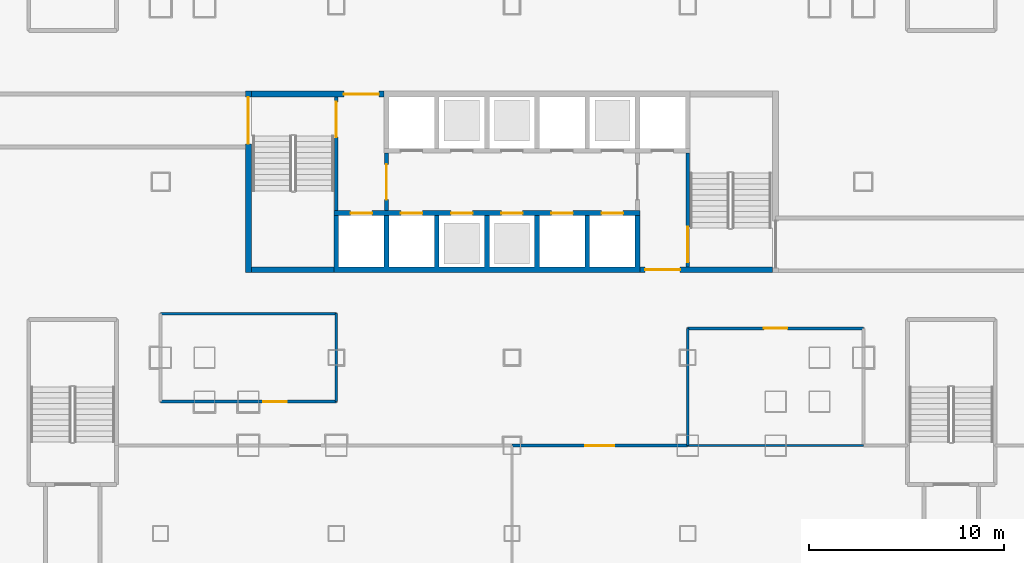
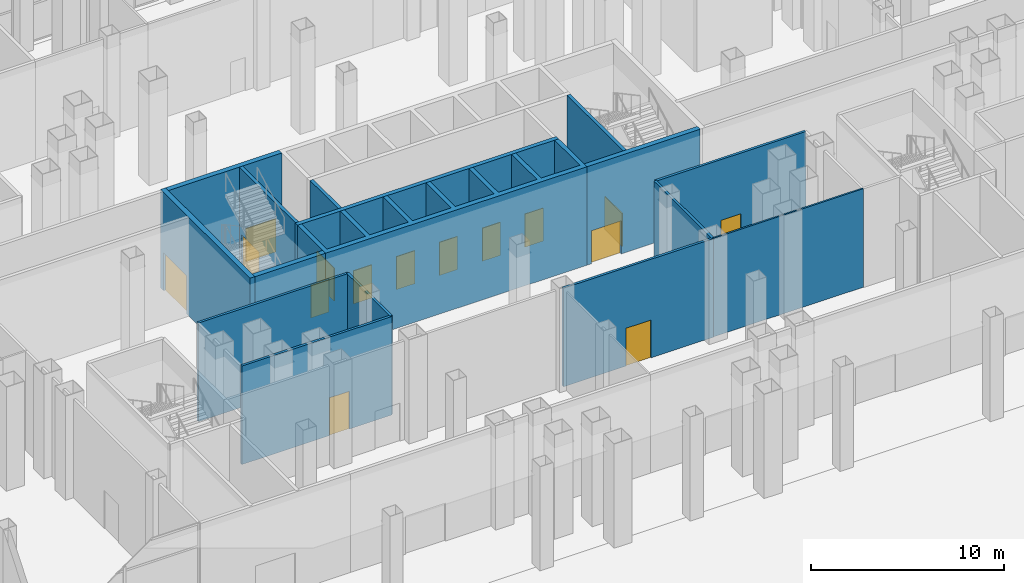
# One storey, part 14 of 38: 16 walls, 15 doors, 15 openings.
"""IFC4 building model written with IfcOpenShell, lengths in metres."""

from ifc_helpers import new_model, si_unit, direction, frame, frame_2d, origin, place, context, subcontext, project, spatial, polyline, rectangle, outline, extrude, material, layer, layer_set, type_object, element, fill, save


model = new_model("IFC4")

# Units and contexts
model_context = context("Model", 3, precision=1e-05, world=origin(), true_north=direction((0.0, 1.0)))
body_context = subcontext(model_context, "Body", "Model", "MODEL_VIEW")
ifc_project = project(units=[si_unit("LENGTHUNIT", "METRE"), si_unit("AREAUNIT", "SQUARE_METRE"), si_unit("VOLUMEUNIT", "CUBIC_METRE"), si_unit("PLANEANGLEUNIT", "RADIAN"), si_unit("MASSUNIT", "GRAM", prefix="KILO")], contexts=[model_context])

# Site, building, storey
site_placement = place(None, origin())
site = spatial("IfcSite", under=ifc_project, at=site_placement, CompositionType="ELEMENT")
building_placement = place(site_placement, origin())
building = spatial("IfcBuilding", under=site, at=building_placement, Name="Caravel Reach Hotel and Residences", CompositionType="ELEMENT")
storey_placement = place(building_placement, origin())
storey = spatial("IfcBuildingStorey", under=building, at=storey_placement, Name="L00", CompositionType="ELEMENT", Elevation=0.0)

# Wall
ifc_material_1 = material(Name="Concrete C60", Category="concrete")
ifc_layer_1 = layer(ifc_material_1, 0.300048828125)
ifc_layer_set_1 = layer_set([ifc_layer_1], Name="Core wall 300 mm EI 120")
wall_type_1 = type_object("IfcWallType", Name="Core wall 300 mm EI 120", PredefinedType="SHEAR", material=ifc_layer_set_1)
wall_1_placement = place(storey_placement, frame((18.14990234375, 22.5, 0.0), z_axis=(0.0, 0.0, 1.0), x_axis=(1.0, 0.0, 0.0)))
element("IfcWall", 1, at=wall_1_placement, inside=storey, type_object=wall_type_1, Name="L00 core wall S1", PredefinedType="SHEAR", context=body_context, shape_type="SweptSolid", body=[
    extrude(rectangle(XDim=4.22509765625, YDim=0.300048828125, at=frame_2d((2.112548828125, 0.0))), origin(), (0.0, 0.0, 1.0), 6.25),
])

# Wall, opening, door
wall_2_placement = place(storey_placement, frame((38.053466796875, 22.5, 0.0), z_axis=(0.0, 0.0, 1.0), x_axis=(1.0, 0.0, 0.0)))
wall_2 = element("IfcWall", 2, at=wall_2_placement, inside=storey, type_object=wall_type_1, Name="L00 core wall S2", PredefinedType="SHEAR", context=body_context, shape_type="SweptSolid", body=[
    extrude(rectangle(XDim=6.796630859375, YDim=0.300048828125, at=frame_2d((3.3984375, 0.0))), origin(), (0.0, 0.0, 1.0), 6.25),
])
opening_1_placement = place(wall_2_placement, frame((0.2607421875, 0.0, 0.0)))
opening_1 = element("IfcOpeningElement", 3, at=opening_1_placement, cuts=wall_2, Name="Opening D00-018", PredefinedType="OPENING", context=body_context, shape_type="SweptSolid", body=[
    extrude(rectangle(XDim=1.800048828125, YDim=2.10009765625, at=frame_2d((0.89990234375, 1.050048828125))), frame((0.0, 0.159912109375, 0.0), z_axis=(0.0, -1.0, 0.0), x_axis=(1.0, 0.0, 0.0)), (0.0, 0.0, 1.0), 0.320068359375),
])
ifc_material_2 = material(Name="Steel fire door leaf", Category="steel")
door_type_1 = type_object("IfcDoorType", Name="Fire lobby door pair 1800 x 2100 EI 90", OperationType="DOUBLE_DOOR_SINGLE_SWING", PredefinedType="DOOR", material=ifc_material_2)
door_1_placement = place(opening_1_placement, origin())
door_1 = element("IfcDoor", 4, at=door_1_placement, inside=storey, type_object=door_type_1, Name="lobby S door pair to corridor", OperationType="DOUBLE_DOOR_SINGLE_SWING", OverallHeight=2.10009765625, OverallWidth=1.800048828125, PredefinedType="DOOR", context=body_context, shape_type="SweptSolid", body=[
    extrude(rectangle(XDim=1.800048828125, YDim=2.10009765625, at=frame_2d((0.89990234375, 1.050048828125))), frame((0.0, 0.02490234375, 0.0), z_axis=(0.0, -1.0, 0.0), x_axis=(1.0, 0.0, 0.0)), (0.0, 0.0, 1.0), 0.050048828125),
])
fill(opening_1, door_1)

wall_3_placement = place(storey_placement, frame((18.14990234375, 31.5, 0.0), z_axis=(0.0, 0.0, 1.0), x_axis=(1.0, 0.0, 0.0)))
wall_3 = element("IfcWall", 5, at=wall_3_placement, inside=storey, type_object=wall_type_1, Name="L00 core wall N1", PredefinedType="SHEAR", context=body_context, shape_type="SweptSolid", body=[
    extrude(rectangle(XDim=6.796630859375, YDim=0.300048828125, at=frame_2d((3.3984375, 0.0))), origin(), (0.0, 0.0, 1.0), 6.25),
])
opening_2_placement = place(wall_3_placement, frame((4.735595703125, 0.0, 0.0)))
opening_2 = element("IfcOpeningElement", 6, at=opening_2_placement, cuts=wall_3, Name="Opening D00-017", PredefinedType="OPENING", context=body_context, shape_type="SweptSolid", body=[
    extrude(rectangle(XDim=1.800048828125, YDim=2.10009765625, at=frame_2d((0.89990234375, 1.050048828125))), frame((0.0, 0.159912109375, 0.0), z_axis=(0.0, -1.0, 0.0), x_axis=(1.0, 0.0, 0.0)), (0.0, 0.0, 1.0), 0.320068359375),
])
door_2_placement = place(opening_2_placement, origin())
door_2 = element("IfcDoor", 7, at=door_2_placement, inside=storey, type_object=door_type_1, Name="lobby N door pair to corridor", OperationType="DOUBLE_DOOR_SINGLE_SWING", OverallHeight=2.10009765625, OverallWidth=1.800048828125, PredefinedType="DOOR", context=body_context, shape_type="SweptSolid", body=[
    extrude(rectangle(XDim=1.800048828125, YDim=2.10009765625, at=frame_2d((0.89990234375, 1.050048828125))), frame((0.0, 0.02490234375, 0.0), z_axis=(0.0, -1.0, 0.0), x_axis=(1.0, 0.0, 0.0)), (0.0, 0.0, 1.0), 0.050048828125),
])
fill(opening_2, door_2)

wall_4_placement = place(storey_placement, frame((18.0, 22.35009765625, 0.0), z_axis=(0.0, 0.0, 1.0), x_axis=(0.0, 1.0, 0.0)))
wall_4 = element("IfcWall", 8, at=wall_4_placement, inside=storey, type_object=wall_type_1, Name="L00 core wall W", PredefinedType="SHEAR", context=body_context, shape_type="SweptSolid", body=[
    extrude(rectangle(XDim=9.2998046875, YDim=0.300048828125, at=frame_2d((4.64990234375, 0.0))), origin(), (0.0, 0.0, 1.0), 6.25),
])
opening_3_placement = place(wall_4_placement, frame((6.60009765625, 0.0, 0.0)))
opening_3 = element("IfcOpeningElement", 9, at=opening_3_placement, cuts=wall_4, Name="Opening D00-019", PredefinedType="OPENING", context=body_context, shape_type="SweptSolid", body=[
    extrude(rectangle(XDim=2.39990234375, YDim=2.39990234375, at=frame_2d((1.199951171875, 1.199951171875))), frame((0.0, 0.159912109375, 0.0), z_axis=(0.0, -1.0, 0.0), x_axis=(1.0, 0.0, 0.0)), (0.0, 0.0, 1.0), 0.320068359375),
])
ifc_material_3 = material(Name="Steel fire door leaf", Category="steel")
door_type_2 = type_object("IfcDoorType", Name="Exit door pair 2400 x 2400 EI 90", OperationType="DOUBLE_DOOR_SINGLE_SWING", PredefinedType="DOOR", material=ifc_material_3)
door_3_placement = place(opening_3_placement, origin())
door_3 = element("IfcDoor", 10, at=door_3_placement, inside=storey, type_object=door_type_2, Name="stair exit door W", OperationType="DOUBLE_DOOR_SINGLE_SWING", OverallHeight=2.39990234375, OverallWidth=2.39990234375, PredefinedType="DOOR", context=body_context, shape_type="SweptSolid", body=[
    extrude(rectangle(XDim=2.39990234375, YDim=2.39990234375, at=frame_2d((1.199951171875, 1.199951171875))), frame((0.0, 0.02490234375, 0.0), z_axis=(0.0, -1.0, 0.0), x_axis=(1.0, 0.0, 0.0)), (0.0, 0.0, 1.0), 0.050048828125),
])
fill(opening_3, door_3)

ifc_material_4 = material(Name="Gypsum board on steel stud, fire-rated", Category="steel")
ifc_layer_2 = layer(ifc_material_4, 0.14990234375)
ifc_layer_set_2 = layer_set([ifc_layer_2], Name="Corridor wall 150 mm EI 60")
wall_type_2 = type_object("IfcWallType", Name="Corridor wall 150 mm EI 60", PredefinedType="PARTITIONING", material=ifc_layer_set_2)
wall_5_placement = place(storey_placement, frame((31.5, 13.5, 0.0), z_axis=(0.0, 0.0, 1.0), x_axis=(1.0, 0.0, 0.0)))
wall_5 = element("IfcWall", 11, at=wall_5_placement, inside=storey, type_object=wall_type_2, Name="L00 wall w002", PredefinedType="PARTITIONING", context=body_context, shape_type="SweptSolid", body=[
    extrude(rectangle(XDim=9.0, YDim=0.14990234375, at=frame_2d((4.5, 0.0))), origin(), (0.0, 0.0, 1.0), 6.25),
])
opening_4_placement = place(wall_5_placement, frame((3.75, 0.0, 0.0)))
opening_4 = element("IfcOpeningElement", 12, at=opening_4_placement, cuts=wall_5, Name="Opening D00-038", PredefinedType="OPENING", context=body_context, shape_type="SweptSolid", body=[
    extrude(rectangle(XDim=1.5, YDim=2.39990234375, at=frame_2d((0.75, 1.199951171875))), frame((0.0, 0.0849609375, 0.0), z_axis=(0.0, -1.0, 0.0), x_axis=(1.0, 0.0, 0.0)), (0.0, 0.0, 1.0), 0.169921875),
])
ifc_material_5 = material(Name="Timber and steel door leaf", Category="steel")
door_type_3 = type_object("IfcDoorType", Name="Shopfront door 1500 x 2400", OperationType="DOUBLE_DOOR_SINGLE_SWING", PredefinedType="DOOR", material=ifc_material_5)
door_4_placement = place(opening_4_placement, origin())
door_4 = element("IfcDoor", 13, at=door_4_placement, inside=storey, type_object=door_type_3, Name="door D00-038", OperationType="DOUBLE_DOOR_SINGLE_SWING", OverallHeight=2.39990234375, OverallWidth=1.5, PredefinedType="DOOR", context=body_context, shape_type="SweptSolid", body=[
    extrude(rectangle(XDim=1.5, YDim=2.39990234375, at=frame_2d((0.75, 1.199951171875))), frame((0.0, 0.02490234375, 0.0), z_axis=(0.0, -1.0, 0.0), x_axis=(1.0, 0.0, 0.0)), (0.0, 0.0, 1.0), 0.050048828125),
])
fill(opening_4, door_4)

wall_6_placement = place(storey_placement, frame((13.5, 15.75, 0.0), z_axis=(0.0, 0.0, 1.0), x_axis=(1.0, 0.0, 0.0)))
wall_6 = element("IfcWall", 14, at=wall_6_placement, inside=storey, type_object=wall_type_2, Name="L00 wall w005", PredefinedType="PARTITIONING", context=body_context, shape_type="SweptSolid", body=[
    extrude(rectangle(XDim=9.0, YDim=0.14990234375, at=frame_2d((4.5, 0.0))), origin(), (0.0, 0.0, 1.0), 6.25),
])
opening_5_placement = place(wall_6_placement, frame((5.25, 0.0, 0.0)))
opening_5 = element("IfcOpeningElement", 15, at=opening_5_placement, cuts=wall_6, Name="Opening D00-046", PredefinedType="OPENING", context=body_context, shape_type="SweptSolid", body=[
    extrude(rectangle(XDim=1.199951171875, YDim=2.39990234375, at=frame_2d((0.60009765625, 1.199951171875))), frame((0.0, 0.0849609375, 0.0), z_axis=(0.0, -1.0, 0.0), x_axis=(1.0, 0.0, 0.0)), (0.0, 0.0, 1.0), 0.169921875),
])
ifc_material_6 = material(Name="Timber and steel door leaf", Category="steel")
door_type_4 = type_object("IfcDoorType", Name="Glazed door 1200 x 2400", OperationType="SINGLE_SWING_LEFT", PredefinedType="DOOR", material=ifc_material_6)
door_5_placement = place(opening_5_placement, origin())
door_5 = element("IfcDoor", 16, at=door_5_placement, inside=storey, type_object=door_type_4, Name="door D00-046", OperationType="SINGLE_SWING_RIGHT", OverallHeight=2.39990234375, OverallWidth=1.199951171875, PredefinedType="DOOR", context=body_context, shape_type="SweptSolid", body=[
    extrude(rectangle(XDim=1.199951171875, YDim=2.39990234375, at=frame_2d((0.60009765625, 1.199951171875))), frame((0.0, 0.02490234375, 0.0), z_axis=(0.0, -1.0, 0.0), x_axis=(1.0, 0.0, 0.0)), (0.0, 0.0, 1.0), 0.050048828125),
])
fill(opening_5, door_5)

wall_7_placement = place(storey_placement, frame((40.5, 19.5, 0.0), z_axis=(0.0, 0.0, 1.0), x_axis=(1.0, 0.0, 0.0)))
wall_7 = element("IfcWall", 17, at=wall_7_placement, inside=storey, type_object=wall_type_2, Name="L00 wall w006", PredefinedType="PARTITIONING", context=body_context, shape_type="SweptSolid", body=[
    extrude(rectangle(XDim=9.0, YDim=0.14990234375, at=frame_2d((4.5, 0.0))), origin(), (0.0, 0.0, 1.0), 6.25),
])
opening_6_placement = place(wall_7_placement, frame((3.89990234375, 0.0, 0.0)))
opening_6 = element("IfcOpeningElement", 18, at=opening_6_placement, cuts=wall_7, Name="Opening D00-047", PredefinedType="OPENING", context=body_context, shape_type="SweptSolid", body=[
    extrude(rectangle(XDim=1.199951171875, YDim=2.39990234375, at=frame_2d((0.60009765625, 1.199951171875))), frame((0.0, 0.0849609375, 0.0), z_axis=(0.0, -1.0, 0.0), x_axis=(1.0, 0.0, 0.0)), (0.0, 0.0, 1.0), 0.169921875),
])
door_6_placement = place(opening_6_placement, origin())
door_6 = element("IfcDoor", 19, at=door_6_placement, inside=storey, type_object=door_type_4, Name="door D00-047", OperationType="SINGLE_SWING_LEFT", OverallHeight=2.39990234375, OverallWidth=1.199951171875, PredefinedType="DOOR", context=body_context, shape_type="SweptSolid", body=[
    extrude(rectangle(XDim=1.199951171875, YDim=2.39990234375, at=frame_2d((0.60009765625, 1.199951171875))), frame((0.0, 0.02490234375, 0.0), z_axis=(0.0, -1.0, 0.0), x_axis=(1.0, 0.0, 0.0)), (0.0, 0.0, 1.0), 0.050048828125),
])
fill(opening_6, door_6)

# Walls
wall_8_placement = place(storey_placement, frame((13.5, 20.25, 0.0), z_axis=(0.0, 0.0, 1.0), x_axis=(1.0, 0.0, 0.0)))
element("IfcWall", 20, at=wall_8_placement, inside=storey, type_object=wall_type_2, Name="L00 wall w007", PredefinedType="PARTITIONING", context=body_context, shape_type="SweptSolid", body=[
    extrude(rectangle(XDim=9.0, YDim=0.14990234375, at=frame_2d((4.5, 0.0))), origin(), (0.0, 0.0, 1.0), 6.25),
])
wall_9_placement = place(storey_placement, frame((22.5, 15.75, 0.0), z_axis=(0.0, 0.0, 1.0), x_axis=(0.0, 1.0, 0.0)))
element("IfcWall", 21, at=wall_9_placement, inside=storey, type_object=wall_type_2, Name="L00 wall w019", PredefinedType="PARTITIONING", context=body_context, shape_type="SweptSolid", body=[
    extrude(rectangle(XDim=4.5, YDim=0.14990234375, at=frame_2d((2.25, 0.0))), origin(), (0.0, 0.0, 1.0), 6.25),
])
wall_10_placement = place(storey_placement, frame((40.5, 13.5, 0.0), z_axis=(0.0, 0.0, 1.0), x_axis=(0.0, 1.0, 0.0)))
element("IfcWall", 22, at=wall_10_placement, inside=storey, type_object=wall_type_2, Name="L00 wall w025", PredefinedType="PARTITIONING", context=body_context, shape_type="SweptSolid", body=[
    extrude(rectangle(XDim=6.0, YDim=0.14990234375, at=frame_2d((3.0, 0.0))), origin(), (0.0, 0.0, 1.0), 6.25),
])

# Wall, opening, door
ifc_material_7 = material(Name="Autoclaved aerated block wall")
ifc_layer_3 = layer(ifc_material_7, 0.199951171875)
ifc_layer_set_3 = layer_set([ifc_layer_3], Name="Fire lobby wall 200 mm EI 120")
wall_type_3 = type_object("IfcWallType", Name="Fire lobby wall 200 mm EI 120", PredefinedType="PARTITIONING", material=ifc_layer_set_3)
wall_11_placement = place(storey_placement, frame((25.071533203125, 25.52490234375, 0.0), z_axis=(0.0, 0.0, 1.0), x_axis=(0.0, 1.0, 0.0)))
wall_11 = element("IfcWall", 23, at=wall_11_placement, inside=storey, type_object=wall_type_3, Name="L00 lobby W wall", PredefinedType="PARTITIONING", context=body_context, shape_type="SweptSolid", body=[
    extrude(rectangle(XDim=2.9501953125, YDim=0.199951171875, at=frame_2d((1.47509765625, 0.0))), origin(), (0.0, 0.0, 1.0), 6.25),
])
opening_7_placement = place(wall_11_placement, frame((0.574951171875, 0.0, 0.0)))
opening_7 = element("IfcOpeningElement", 24, at=opening_7_placement, cuts=wall_11, Name="Opening D00-015", PredefinedType="OPENING", context=body_context, shape_type="SweptSolid", body=[
    extrude(rectangle(XDim=1.800048828125, YDim=2.10009765625, at=frame_2d((0.89990234375, 1.050048828125))), frame((0.0, 0.10986328125, 0.0), z_axis=(0.0, -1.0, 0.0), x_axis=(1.0, 0.0, 0.0)), (0.0, 0.0, 1.0), 0.219970703125),
])
door_7_placement = place(opening_7_placement, origin())
door_7 = element("IfcDoor", 25, at=door_7_placement, inside=storey, type_object=door_type_1, Name="lobby W door pair", OperationType="DOUBLE_DOOR_SINGLE_SWING", OverallHeight=2.10009765625, OverallWidth=1.800048828125, PredefinedType="DOOR", context=body_context, shape_type="SweptSolid", body=[
    extrude(rectangle(XDim=1.800048828125, YDim=2.10009765625, at=frame_2d((0.89990234375, 1.050048828125))), frame((0.0, 0.02490234375, 0.0), z_axis=(0.0, -1.0, 0.0), x_axis=(1.0, 0.0, 0.0)), (0.0, 0.0, 1.0), 0.050048828125),
])
fill(opening_7, door_7)

# Walls
ifc_material_8 = material(Name="Gypsum board on steel stud", Category="steel")
ifc_layer_4 = layer(ifc_material_8, 0.10009765625)
ifc_layer_set_4 = layer_set([ifc_layer_4], Name="Partition 100 mm")
wall_type_4 = type_object("IfcWallType", Name="Partition 100 mm", PredefinedType="PARTITIONING", material=ifc_layer_set_4)
wall_12_placement = place(storey_placement, frame((40.5, 13.5, 0.0), z_axis=(0.0, 0.0, 1.0), x_axis=(1.0, 0.0, 0.0)))
element("IfcWall", 26, at=wall_12_placement, inside=storey, type_object=wall_type_4, Name="L00 wall w032", PredefinedType="PARTITIONING", context=body_context, shape_type="SweptSolid", body=[
    extrude(rectangle(XDim=9.0, YDim=0.10009765625, at=frame_2d((4.5, 0.0))), origin(), (0.0, 0.0, 1.0), 6.25),
])
ifc_material_9 = material(Name="Concrete C60", Category="concrete")
ifc_layer_5 = layer(ifc_material_9, 0.25)
ifc_layer_set_5 = layer_set([ifc_layer_5], Name="Shaft wall 250 mm EI 120")
wall_type_5 = type_object("IfcWallType", Name="Shaft wall 250 mm EI 120", PredefinedType="SHEAR", material=ifc_layer_set_5)
wall_13_placement = place(storey_placement, origin())
element("IfcWall", 27, at=wall_13_placement, inside=storey, type_object=wall_type_5, Name="L00 lift shaft wall S1", PredefinedType="SHEAR", context=body_context, shape_type="SweptSolid", body=[
    extrude(outline(polyline([(22.375, 22.35009765625), (38.053466796875, 22.35009765625), (38.053466796875, 25.27490234375), (37.803466796875, 25.27490234375), (37.803466796875, 22.64990234375), (35.482177734375, 22.64990234375), (35.482177734375, 25.27490234375), (35.232177734375, 25.27490234375), (35.232177734375, 22.64990234375), (32.91064453125, 22.64990234375), (32.91064453125, 25.27490234375), (32.66064453125, 25.27490234375), (32.66064453125, 22.64990234375), (30.33935546875, 22.64990234375), (30.33935546875, 25.27490234375), (30.08935546875, 25.27490234375), (30.08935546875, 22.64990234375), (27.767822265625, 22.64990234375), (27.767822265625, 25.27490234375), (27.517822265625, 25.27490234375), (27.517822265625, 22.64990234375), (25.196533203125, 22.64990234375), (25.196533203125, 25.27490234375), (24.946533203125, 25.27490234375), (24.946533203125, 22.64990234375), (22.625, 22.64990234375), (22.625, 25.27490234375), (22.375, 25.27490234375), (22.375, 22.35009765625)])), origin(), (0.0, 0.0, 1.0), 6.25),
])

# Wall, openings, doors
wall_14_placement = place(storey_placement, frame((22.375, 25.39990234375, 0.0), z_axis=(0.0, 0.0, 1.0), x_axis=(1.0, 0.0, 0.0)))
wall_14 = element("IfcWall", 28, at=wall_14_placement, inside=storey, type_object=wall_type_5, Name="L00 lobby wall S1", PredefinedType="SHEAR", context=body_context, shape_type="SweptSolid", body=[
    extrude(rectangle(XDim=15.678466796875, YDim=0.25, at=frame_2d((7.83935546875, 0.0))), origin(), (0.0, 0.0, 1.0), 6.25),
])
opening_8_placement = place(wall_14_placement, frame((3.43212890625, 0.0, 0.0)))
opening_8 = element("IfcOpeningElement", 29, at=opening_8_placement, cuts=wall_14, Name="Opening D00-001", PredefinedType="OPENING", context=body_context, shape_type="SweptSolid", body=[
    extrude(rectangle(XDim=1.10009765625, YDim=2.10009765625, at=frame_2d((0.550048828125, 1.050048828125))), frame((0.0, 0.135009765625, 0.0), z_axis=(0.0, -1.0, 0.0), x_axis=(1.0, 0.0, 0.0)), (0.0, 0.0, 1.0), 0.27001953125),
])
opening_9_placement = place(wall_14_placement, frame((11.146484375, 0.0, 0.0)))
opening_9 = element("IfcOpeningElement", 30, at=opening_9_placement, cuts=wall_14, Name="Opening D00-002", PredefinedType="OPENING", context=body_context, shape_type="SweptSolid", body=[
    extrude(rectangle(XDim=1.10009765625, YDim=2.10009765625, at=frame_2d((0.550048828125, 1.050048828125))), frame((0.0, 0.135009765625, 0.0), z_axis=(0.0, -1.0, 0.0), x_axis=(1.0, 0.0, 0.0)), (0.0, 0.0, 1.0), 0.27001953125),
])
opening_10_placement = place(wall_14_placement, frame((13.718017578125, 0.0, 0.0)))
opening_10 = element("IfcOpeningElement", 31, at=opening_10_placement, cuts=wall_14, Name="Opening D00-003", PredefinedType="OPENING", context=body_context, shape_type="SweptSolid", body=[
    extrude(rectangle(XDim=1.10009765625, YDim=2.10009765625, at=frame_2d((0.550048828125, 1.050048828125))), frame((0.0, 0.135009765625, 0.0), z_axis=(0.0, -1.0, 0.0), x_axis=(1.0, 0.0, 0.0)), (0.0, 0.0, 1.0), 0.27001953125),
])
opening_11_placement = place(wall_14_placement, frame((8.574951171875, 0.0, 0.0)))
opening_11 = element("IfcOpeningElement", 32, at=opening_11_placement, cuts=wall_14, Name="Opening D00-006", PredefinedType="OPENING", context=body_context, shape_type="SweptSolid", body=[
    extrude(rectangle(XDim=1.10009765625, YDim=2.10009765625, at=frame_2d((0.550048828125, 1.050048828125))), frame((0.0, 0.135009765625, 0.0), z_axis=(0.0, -1.0, 0.0), x_axis=(1.0, 0.0, 0.0)), (0.0, 0.0, 1.0), 0.27001953125),
])
opening_12_placement = place(wall_14_placement, frame((6.003662109375, 0.0, 0.0)))
opening_12 = element("IfcOpeningElement", 33, at=opening_12_placement, cuts=wall_14, Name="Opening D00-009", PredefinedType="OPENING", context=body_context, shape_type="SweptSolid", body=[
    extrude(rectangle(XDim=1.10009765625, YDim=2.10009765625, at=frame_2d((0.550048828125, 1.050048828125))), frame((0.0, 0.135009765625, 0.0), z_axis=(0.0, -1.0, 0.0), x_axis=(1.0, 0.0, 0.0)), (0.0, 0.0, 1.0), 0.27001953125),
])
opening_13_placement = place(wall_14_placement, frame((0.860595703125, 0.0, 0.0)))
opening_13 = element("IfcOpeningElement", 34, at=opening_13_placement, cuts=wall_14, Name="Opening D00-011", PredefinedType="OPENING", context=body_context, shape_type="SweptSolid", body=[
    extrude(rectangle(XDim=1.10009765625, YDim=2.10009765625, at=frame_2d((0.550048828125, 1.050048828125))), frame((0.0, 0.135009765625, 0.0), z_axis=(0.0, -1.0, 0.0), x_axis=(1.0, 0.0, 0.0)), (0.0, 0.0, 1.0), 0.27001953125),
])
ifc_material_10 = material(Name="Stainless steel landing door", Category="steel")
door_type_5 = type_object("IfcDoorType", Name="Landing door LD 1100 x 2100 sliding", OperationType="DOUBLE_DOOR_SLIDING", PredefinedType="DOOR", material=ifc_material_10)
door_8_placement = place(opening_8_placement, origin())
door_8 = element("IfcDoor", 35, at=door_8_placement, inside=storey, type_object=door_type_5, Name="LP1 landing door", OperationType="DOUBLE_DOOR_SLIDING", OverallHeight=2.10009765625, OverallWidth=1.10009765625, PredefinedType="DOOR", context=body_context, shape_type="SweptSolid", body=[
    extrude(rectangle(XDim=1.10009765625, YDim=2.10009765625, at=frame_2d((0.550048828125, 1.050048828125))), frame((0.0, 0.02490234375, 0.0), z_axis=(0.0, -1.0, 0.0), x_axis=(1.0, 0.0, 0.0)), (0.0, 0.0, 1.0), 0.050048828125),
])
fill(opening_8, door_8)
door_9_placement = place(opening_9_placement, origin())
door_9 = element("IfcDoor", 36, at=door_9_placement, inside=storey, type_object=door_type_5, Name="LP2 landing door", OperationType="DOUBLE_DOOR_SLIDING", OverallHeight=2.10009765625, OverallWidth=1.10009765625, PredefinedType="DOOR", context=body_context, shape_type="SweptSolid", body=[
    extrude(rectangle(XDim=1.10009765625, YDim=2.10009765625, at=frame_2d((0.550048828125, 1.050048828125))), frame((0.0, 0.02490234375, 0.0), z_axis=(0.0, -1.0, 0.0), x_axis=(1.0, 0.0, 0.0)), (0.0, 0.0, 1.0), 0.050048828125),
])
fill(opening_9, door_9)
door_10_placement = place(opening_10_placement, origin())
door_10 = element("IfcDoor", 37, at=door_10_placement, inside=storey, type_object=door_type_5, Name="LP3 landing door", OperationType="DOUBLE_DOOR_SLIDING", OverallHeight=2.10009765625, OverallWidth=1.10009765625, PredefinedType="DOOR", context=body_context, shape_type="SweptSolid", body=[
    extrude(rectangle(XDim=1.10009765625, YDim=2.10009765625, at=frame_2d((0.550048828125, 1.050048828125))), frame((0.0, 0.02490234375, 0.0), z_axis=(0.0, -1.0, 0.0), x_axis=(1.0, 0.0, 0.0)), (0.0, 0.0, 1.0), 0.050048828125),
])
fill(opening_10, door_10)
door_11_placement = place(opening_11_placement, origin())
door_11 = element("IfcDoor", 38, at=door_11_placement, inside=storey, type_object=door_type_5, Name="MP1 landing door", OperationType="DOUBLE_DOOR_SLIDING", OverallHeight=2.10009765625, OverallWidth=1.10009765625, PredefinedType="DOOR", context=body_context, shape_type="SweptSolid", body=[
    extrude(rectangle(XDim=1.10009765625, YDim=2.10009765625, at=frame_2d((0.550048828125, 1.050048828125))), frame((0.0, 0.02490234375, 0.0), z_axis=(0.0, -1.0, 0.0), x_axis=(1.0, 0.0, 0.0)), (0.0, 0.0, 1.0), 0.050048828125),
])
fill(opening_11, door_11)
door_12_placement = place(opening_12_placement, origin())
door_12 = element("IfcDoor", 39, at=door_12_placement, inside=storey, type_object=door_type_5, Name="HP1 landing door", OperationType="DOUBLE_DOOR_SLIDING", OverallHeight=2.10009765625, OverallWidth=1.10009765625, PredefinedType="DOOR", context=body_context, shape_type="SweptSolid", body=[
    extrude(rectangle(XDim=1.10009765625, YDim=2.10009765625, at=frame_2d((0.550048828125, 1.050048828125))), frame((0.0, 0.02490234375, 0.0), z_axis=(0.0, -1.0, 0.0), x_axis=(1.0, 0.0, 0.0)), (0.0, 0.0, 1.0), 0.050048828125),
])
fill(opening_12, door_12)
door_13_placement = place(opening_13_placement, origin())
door_13 = element("IfcDoor", 40, at=door_13_placement, inside=storey, type_object=door_type_5, Name="FL1 landing door", OperationType="DOUBLE_DOOR_SLIDING", OverallHeight=2.10009765625, OverallWidth=1.10009765625, PredefinedType="DOOR", context=body_context, shape_type="SweptSolid", body=[
    extrude(rectangle(XDim=1.10009765625, YDim=2.10009765625, at=frame_2d((0.550048828125, 1.050048828125))), frame((0.0, 0.02490234375, 0.0), z_axis=(0.0, -1.0, 0.0), x_axis=(1.0, 0.0, 0.0)), (0.0, 0.0, 1.0), 0.050048828125),
])
fill(opening_13, door_13)

# Wall, opening, door
ifc_material_11 = material(Name="Concrete C60", Category="concrete")
ifc_layer_6 = layer(ifc_material_11, 0.199951171875)
ifc_layer_set_6 = layer_set([ifc_layer_6], Name="Stair enclosure wall 200 mm EI 120")
wall_type_6 = type_object("IfcWallType", Name="Stair enclosure wall 200 mm EI 120", PredefinedType="SHEAR", material=ifc_layer_set_6)
wall_15_placement = place(storey_placement, frame((22.5, 31.35009765625, 0.0), z_axis=(0.0, 0.0, 1.0), x_axis=(0.0, -1.0, 0.0)))
wall_15 = element("IfcWall", 41, at=wall_15_placement, inside=storey, type_object=wall_type_6, Name="L00 stair A wall", PredefinedType="SHEAR", context=body_context, shape_type="SweptSolid", body=[
    extrude(rectangle(XDim=5.8251953125, YDim=0.199951171875, at=frame_2d((2.91259765625, 0.0))), origin(), (0.0, 0.0, 1.0), 6.25),
])
opening_14_placement = place(wall_15_placement, frame((0.25, 0.0, 0.0)))
opening_14 = element("IfcOpeningElement", 42, at=opening_14_placement, cuts=wall_15, Name="Opening D00-013", PredefinedType="OPENING", context=body_context, shape_type="SweptSolid", body=[
    extrude(rectangle(XDim=1.800048828125, YDim=2.10009765625, at=frame_2d((0.89990234375, 1.050048828125))), frame((0.0, 0.10986328125, 0.0), z_axis=(0.0, -1.0, 0.0), x_axis=(1.0, 0.0, 0.0)), (0.0, 0.0, 1.0), 0.219970703125),
])
ifc_material_12 = material(Name="Steel fire door leaf", Category="steel")
door_type_6 = type_object("IfcDoorType", Name="Stair door pair 1800 x 2100 EI 90", OperationType="DOUBLE_DOOR_SINGLE_SWING", PredefinedType="DOOR", material=ifc_material_12)
door_14_placement = place(opening_14_placement, origin())
door_14 = element("IfcDoor", 43, at=door_14_placement, inside=storey, type_object=door_type_6, Name="stair A door pair", OperationType="DOUBLE_DOOR_SINGLE_SWING", OverallHeight=2.10009765625, OverallWidth=1.800048828125, PredefinedType="DOOR", context=body_context, shape_type="SweptSolid", body=[
    extrude(rectangle(XDim=1.800048828125, YDim=2.10009765625, at=frame_2d((0.89990234375, 1.050048828125))), frame((0.0, 0.02490234375, 0.0), z_axis=(0.0, -1.0, 0.0), x_axis=(1.0, 0.0, 0.0)), (0.0, 0.0, 1.0), 0.050048828125),
])
fill(opening_14, door_14)

wall_16_placement = place(storey_placement, frame((40.5, 22.64990234375, 0.0), z_axis=(0.0, 0.0, 1.0), x_axis=(0.0, 1.0, 0.0)))
wall_16 = element("IfcWall", 44, at=wall_16_placement, inside=storey, type_object=wall_type_6, Name="L00 stair B wall", PredefinedType="SHEAR", context=body_context, shape_type="SweptSolid", body=[
    extrude(rectangle(XDim=5.8251953125, YDim=0.199951171875, at=frame_2d((2.91259765625, 0.0))), origin(), (0.0, 0.0, 1.0), 6.25),
])
opening_15_placement = place(wall_16_placement, frame((0.25, 0.0, 0.0)))
opening_15 = element("IfcOpeningElement", 45, at=opening_15_placement, cuts=wall_16, Name="Opening D00-014", PredefinedType="OPENING", context=body_context, shape_type="SweptSolid", body=[
    extrude(rectangle(XDim=1.800048828125, YDim=2.10009765625, at=frame_2d((0.89990234375, 1.050048828125))), frame((0.0, 0.10986328125, 0.0), z_axis=(0.0, -1.0, 0.0), x_axis=(1.0, 0.0, 0.0)), (0.0, 0.0, 1.0), 0.219970703125),
])
door_15_placement = place(opening_15_placement, origin())
door_15 = element("IfcDoor", 46, at=door_15_placement, inside=storey, type_object=door_type_6, Name="stair B door pair", OperationType="DOUBLE_DOOR_SINGLE_SWING", OverallHeight=2.10009765625, OverallWidth=1.800048828125, PredefinedType="DOOR", context=body_context, shape_type="SweptSolid", body=[
    extrude(rectangle(XDim=1.800048828125, YDim=2.10009765625, at=frame_2d((0.89990234375, 1.050048828125))), frame((0.0, 0.02490234375, 0.0), z_axis=(0.0, -1.0, 0.0), x_axis=(1.0, 0.0, 0.0)), (0.0, 0.0, 1.0), 0.050048828125),
])
fill(opening_15, door_15)

save(model, "model.ifc")
